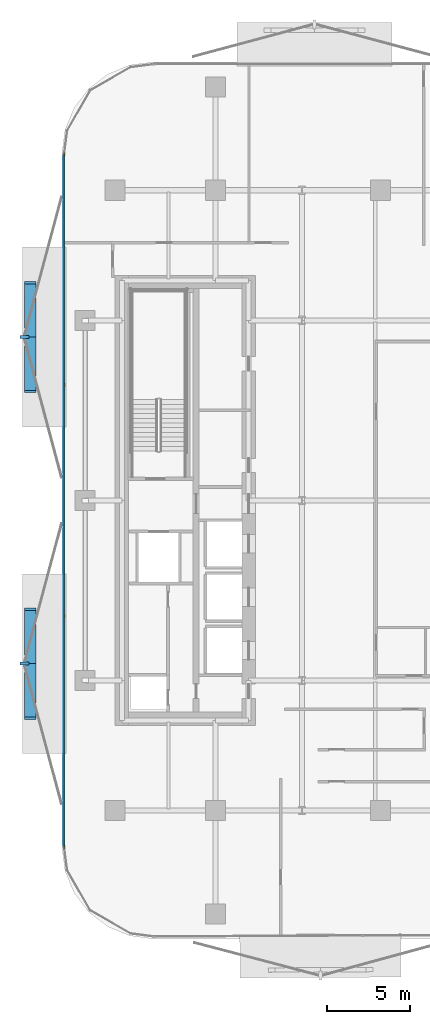
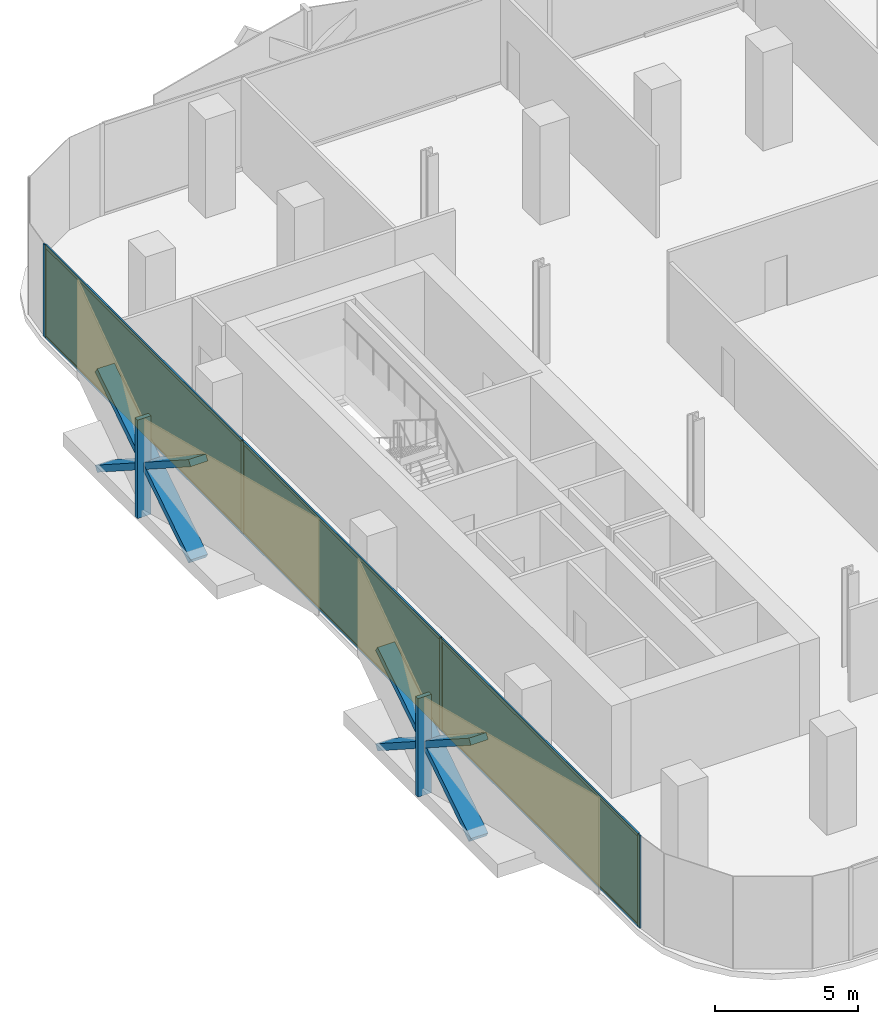
# One storey, part 8 of 15: 16 members, 3 plates, 1 curtain wall.
"""IFC4 building model written with IfcOpenShell, lengths in metres."""

import ifcopenshell
import ifcopenshell.guid

model = None  # the IFC model being written
_history = None  # IfcOwnerHistory: only IFC2X3 demands one
_inside = {}  # id of a spatial element -> (the spatial element, [elements in it])
_under = {}  # id of a project, library or spatial element -> (it, [spatial elements below it])
_declared = {}  # id of a project -> (the project, [libraries it declares])
_typed = {}  # id of a type object -> (the type object, [elements of that type])
_made_of = {}  # id of a material, layer set ... -> (it, [elements and type objects made of it])


def new_model(schema):
    """Start an empty IFC model of exactly this schema.

    Asked for "IFC4X3", IfcOpenShell would pick the latest addendum, in which some entities
    have other attributes; the version numbers below select the first issue.
    IFC2X3 requires an IfcOwnerHistory on every rooted entity: one is made here for all.
    """
    global model, _history
    if schema == "IFC4X3":
        model = ifcopenshell.file(schema_version=(4, 3, 0, 0))
    else:
        model = ifcopenshell.file(schema=schema)
    _inside.clear()
    _under.clear()
    _declared.clear()
    _typed.clear()
    _made_of.clear()
    _history = None
    if model.schema == "IFC2X3":
        org = make("IfcOrganization", Name="unknown")
        user = make(
            "IfcPersonAndOrganization",
            ThePerson=make("IfcPerson", FamilyName="unknown"),
            TheOrganization=org,
        )
        app = make(
            "IfcApplication",
            ApplicationDeveloper=org,
            Version="unknown",
            ApplicationFullName="unknown",
            ApplicationIdentifier="unknown",
        )
        _history = make(
            "IfcOwnerHistory",
            OwningUser=user,
            OwningApplication=app,
            ChangeAction="ADDED",
            CreationDate=0,
        )
    return model


def make(cls, **values):
    """One entity of the class cls with the attributes given. An attribute that is None is left unset."""
    return model.create_entity(
        cls, **{name: value for name, value in values.items() if value is not None}
    )


def rooted(cls, **values):
    """An entity with a GlobalId (a new one), such as an element, a storey or a relation."""
    return make(cls, GlobalId=ifcopenshell.guid.new(), OwnerHistory=_history, **values)


def si_unit(unit_type, name, prefix=None):
    """IfcSIUnit, for example si_unit("LENGTHUNIT", "METRE", prefix="MILLI")."""
    return make("IfcSIUnit", UnitType=unit_type, Prefix=prefix, Name=name)


def assignment(units):
    """IfcUnitAssignment: the units of a project."""
    return None if units is None else make("IfcUnitAssignment", Units=units)


def point(xyz):
    """IfcCartesianPoint."""
    return None if xyz is None else make("IfcCartesianPoint", Coordinates=xyz)


def direction(xyz):
    """IfcDirection."""
    return None if xyz is None else make("IfcDirection", DirectionRatios=xyz)


def frame(location, z_axis=None, x_axis=None):
    """IfcAxis2Placement3D, a coordinate frame: its origin and axes. An axis left out is left unset."""
    return make(
        "IfcAxis2Placement3D",
        Location=point(location),
        Axis=direction(z_axis),
        RefDirection=direction(x_axis),
    )


def frame_2d(location, x_axis=None):
    """IfcAxis2Placement2D, a coordinate frame in the plane: its origin and x axis."""
    return make(
        "IfcAxis2Placement2D", Location=point(location), RefDirection=direction(x_axis)
    )


def origin():
    """The frame at (0, 0, 0) with its axes left unset."""
    return frame((0.0, 0.0, 0.0))


def origin_2d():
    """The frame at (0, 0) in the plane with its x axis left unset."""
    return frame_2d((0.0, 0.0))


def place(relative_to, where):
    """IfcLocalPlacement: puts the frame where relative to a parent placement (None: the world)."""
    return make(
        "IfcLocalPlacement", PlacementRelTo=relative_to, RelativePlacement=where
    )


def context(
    kind, dimensions, precision=None, world=None, true_north=None, identifier=None
):
    """IfcGeometricRepresentationContext, for example the 3D "Model" context."""
    return make(
        "IfcGeometricRepresentationContext",
        ContextIdentifier=identifier,
        ContextType=kind,
        CoordinateSpaceDimension=dimensions,
        Precision=precision,
        WorldCoordinateSystem=world,
        TrueNorth=true_north,
    )


def subcontext(parent, identifier, kind, view, scale=None):
    """IfcGeometricRepresentationSubContext, for example "Body" below "Model"."""
    return make(
        "IfcGeometricRepresentationSubContext",
        ContextIdentifier=identifier,
        ContextType=kind,
        ParentContext=parent,
        TargetScale=scale,
        TargetView=view,
    )


def project(units=None, contexts=None):
    """IfcProject with its units and contexts."""
    return rooted(
        "IfcProject",
        Name="project",
        RepresentationContexts=contexts,
        UnitsInContext=assignment(units),
    )


def spatial(cls, under=None, at=None, **own):
    """A site, building, storey or space (cls), placed at a placement, below another one or the project."""
    s = rooted(cls, ObjectPlacement=at, **own)
    if under is not None:
        _under.setdefault(under.id(), (under, []))[1].append(s)
    return s


def profile(cls, at=None, kind="AREA", **sizes):
    """A parametric profile (cls). Its sizes go by their IFC names, for example OverallWidth=200.0."""
    return make(cls, ProfileType=kind, Position=at, **sizes)


def rectangle(**sizes):
    """IfcRectangleProfileDef."""
    return profile("IfcRectangleProfileDef", **sizes)


def extrude(swept, where, along, depth):
    """IfcExtrudedAreaSolid: the profile swept, set in the frame where, extruded along a direction by depth."""
    return make(
        "IfcExtrudedAreaSolid",
        SweptArea=swept,
        Position=where,
        ExtrudedDirection=direction(along),
        Depth=depth,
    )


def shape(context_of_items, identifier, shape_type, items):
    """IfcShapeRepresentation: the items that make up one representation, for example the "Body"."""
    return make(
        "IfcShapeRepresentation",
        ContextOfItems=context_of_items,
        RepresentationIdentifier=identifier,
        RepresentationType=shape_type,
        Items=items,
    )


def material(Name=None, Category=None):
    """IfcMaterial."""
    return make("IfcMaterial", Name=Name, Category=Category)


def layer(
    of_material, thickness, ventilated=None, Name=None, Category=None, Priority=None
):
    """IfcMaterialLayer: one layer of a wall or slab, of a material (None: an air gap)."""
    return make(
        "IfcMaterialLayer",
        Material=of_material,
        LayerThickness=thickness,
        IsVentilated=ventilated,
        Name=Name,
        Category=Category,
        Priority=Priority,
    )


def layer_set(layers, Name=None):
    """IfcMaterialLayerSet."""
    return make("IfcMaterialLayerSet", MaterialLayers=layers, LayerSetName=Name)


def material_profile(
    of_material, cross_section, Name=None, Category=None, Priority=None
):
    """IfcMaterialProfile: a cross section and its material."""
    return make(
        "IfcMaterialProfile",
        Name=Name,
        Material=of_material,
        Profile=cross_section,
        Priority=Priority,
        Category=Category,
    )


def profile_set(profiles, Name=None, composite=None):
    """IfcMaterialProfileSet."""
    return make(
        "IfcMaterialProfileSet",
        Name=Name,
        MaterialProfiles=profiles,
        CompositeProfile=composite,
    )


def made_of(thing, what):
    """Note that an element or type object is made of a material, layer set ...; save() writes the relation."""
    if what is not None:
        _made_of.setdefault(what.id(), (what, []))[1].append(thing)
    return thing


def type_object(cls, material=None, **own):
    """A type object (cls), such as IfcWallType, which elements share."""
    return made_of(rooted(cls, **own), material)


def element(
    cls,
    number,
    at=None,
    inside=None,
    cuts=None,
    type_object=None,
    material=None,
    context=None,
    identifier="Body",
    shape_type=None,
    held_by="IfcProductDefinitionShape",
    body=None,
    shapes=None,
    **own,
):
    """One element of the class cls, such as IfcWall. Its Tag is "e" and its number.

    at: its placement. inside: the storey or other place that contains it. cuts: it is an
    opening in that element (IfcRelVoidsElement). A single representation is given by context,
    identifier, shape_type and body (its items); several are given by shapes. held_by: the class
    of the entity that holds the representations. save() writes the other relations.
    """
    e = rooted(cls, Tag="e%d" % number, ObjectPlacement=at, **own)
    if body is not None:
        shapes = [shape(context, identifier, shape_type, body)]
    if shapes is not None:
        e.Representation = make(held_by, Representations=shapes)
    if inside is not None:
        _inside.setdefault(inside.id(), (inside, []))[1].append(e)
    if cuts is not None:
        rooted(
            "IfcRelVoidsElement", RelatingBuildingElement=cuts, RelatedOpeningElement=e
        )
    if type_object is not None:
        _typed.setdefault(type_object.id(), (type_object, []))[1].append(e)
    return made_of(e, material)


def aggregate(whole, parts):
    """IfcRelAggregates: a whole, such as a stair, and the parts it consists of."""
    return rooted("IfcRelAggregates", RelatingObject=whole, RelatedObjects=parts)


def save(model, path):
    """Write the relations noted so far, then the file.

    IfcRelAggregates (storeys below a building ...), IfcRelContainedInSpatialStructure (elements
    in a storey), IfcRelDefinesByType, IfcRelAssociatesMaterial and IfcRelDeclares: one each for
    every whole, place, type object, material and project.
    """
    for whole, parts in _under.values():
        aggregate(whole, parts)
    for where, things in _inside.values():
        rooted(
            "IfcRelContainedInSpatialStructure",
            RelatedElements=things,
            RelatingStructure=where,
        )
    for kind, things in _typed.values():
        rooted("IfcRelDefinesByType", RelatedObjects=things, RelatingType=kind)
    for what, things in _made_of.values():
        rooted("IfcRelAssociatesMaterial", RelatedObjects=things, RelatingMaterial=what)
    for by, libraries in _declared.values():
        rooted("IfcRelDeclares", RelatingContext=by, RelatedDefinitions=libraries)
    model.write(path)


model = new_model("IFC4")

# Units and contexts
model_context = context("Model", 3, precision=1e-05, world=origin(), true_north=direction((0.0, 1.0)))
body_context = subcontext(model_context, "Body", "Model", "MODEL_VIEW")
ifc_project = project(units=[si_unit("LENGTHUNIT", "METRE"), si_unit("AREAUNIT", "SQUARE_METRE"), si_unit("VOLUMEUNIT", "CUBIC_METRE"), si_unit("PLANEANGLEUNIT", "RADIAN"), si_unit("MASSUNIT", "GRAM", prefix="KILO")], contexts=[model_context])

# Member
ifc_material_1 = material(Name="Anodised Bronze Aluminium 6063-T6", Category="aluminium")
ifc_material_profile_1 = material_profile(ifc_material_1, rectangle(XDim=0.260009765625, YDim=0.699951171875, at=origin_2d()))
ifc_profile_set_1 = profile_set([ifc_material_profile_1], Name="Anodised Bronze Aluminium 6063-T6")
member_type_1 = type_object("IfcMemberType", Name="Bronze Diamond Solar-Screen Lattice Rib BDL-700", PredefinedType="MULLION", material=ifc_profile_set_1)
site_placement = place(None, origin())
building_placement = place(site_placement, origin())
storey_placement = place(building_placement, frame((0.0, 0.0, 122.60009765625)))
member_1_placement = place(storey_placement, frame((-25.5, -13.060546875, -0.130126953125), z_axis=(0.0, 0.841066075866, 0.540932395062), x_axis=(0.0, -0.540932395062, 0.841066075866)))
member_1 = element("IfcMember", 1, at=member_1_placement, type_object=member_type_1, Name="L28 Bronze Diamond Solar Screen Lattice Rib 171A", PredefinedType="MULLION", context=body_context, shape_type="SweptSolid", body=[
    extrude(rectangle(XDim=0.260009765625, YDim=0.699951171875, at=origin_2d()), origin(), (0.0, 0.0, 1.0), 7.76416015625),
])

member_2_placement = place(storey_placement, frame((-25.5, -6.5302734375, -0.130126953125), z_axis=(0.0, -0.841066075866, 0.540932395062), x_axis=(0.0, 0.540932395062, 0.841066075866)))
member_2 = element("IfcMember", 2, at=member_2_placement, type_object=member_type_1, Name="L28 Bronze Diamond Solar Screen Lattice Rib 171B", PredefinedType="MULLION", context=body_context, shape_type="SweptSolid", body=[
    extrude(rectangle(XDim=0.260009765625, YDim=0.699951171875, at=origin_2d()), origin(), (0.0, 0.0, 1.0), 7.76416015625),
])

member_3_placement = place(storey_placement, frame((-25.5, 6.5302734375, -0.130126953125), z_axis=(0.0, 0.841066075866, 0.540932395062), x_axis=(0.0, -0.540932395062, 0.841066075866)))
member_3 = element("IfcMember", 3, at=member_3_placement, type_object=member_type_1, Name="L28 Bronze Diamond Solar Screen Lattice Rib 172A", PredefinedType="MULLION", context=body_context, shape_type="SweptSolid", body=[
    extrude(rectangle(XDim=0.260009765625, YDim=0.699951171875, at=origin_2d()), origin(), (0.0, 0.0, 1.0), 7.76416015625),
])

member_4_placement = place(storey_placement, frame((-25.5, 13.060546875, -0.130126953125), z_axis=(0.0, -0.841066075866, 0.540932395062), x_axis=(0.0, 0.540932395062, 0.841066075866)))
member_4 = element("IfcMember", 4, at=member_4_placement, type_object=member_type_1, Name="L28 Bronze Diamond Solar Screen Lattice Rib 172B", PredefinedType="MULLION", context=body_context, shape_type="SweptSolid", body=[
    extrude(rectangle(XDim=0.260009765625, YDim=0.699951171875, at=origin_2d()), origin(), (0.0, 0.0, 1.0), 7.76416015625),
])

ifc_material_2 = material(Name="Anodised Bronze Aluminium 6063-T6", Category="aluminium")
ifc_material_profile_2 = material_profile(ifc_material_2, rectangle(XDim=0.179931640625, YDim=0.5400390625, at=origin_2d()))
ifc_profile_set_2 = profile_set([ifc_material_profile_2], Name="Anodised Bronze Aluminium 6063-T6")
member_type_2 = type_object("IfcMemberType", Name="Bronze Solar-Screen Vertical Fold Fin BSF-540", PredefinedType="MULLION", material=ifc_profile_set_2)
member_5_placement = place(storey_placement, frame((-25.840087890625, -9.79541015625, -0.130126953125), z_axis=(0.0, 0.0, 1.0), x_axis=(0.0, 1.0, 0.0)))
member_5 = element("IfcMember", 5, at=member_5_placement, type_object=member_type_2, Name="L28 Bronze Solar Screen Vertical Fin 171", PredefinedType="MULLION", context=body_context, shape_type="SweptSolid", body=[
    extrude(rectangle(XDim=0.179931640625, YDim=0.5400390625, at=origin_2d()), origin(), (0.0, 0.0, 1.0), 4.199951171875),
])

member_6_placement = place(storey_placement, frame((-25.840087890625, 9.79541015625, -0.130126953125), z_axis=(0.0, 0.0, 1.0), x_axis=(0.0, 1.0, 0.0)))
member_6 = element("IfcMember", 6, at=member_6_placement, type_object=member_type_2, Name="L28 Bronze Solar Screen Vertical Fin 172", PredefinedType="MULLION", context=body_context, shape_type="SweptSolid", body=[
    extrude(rectangle(XDim=0.179931640625, YDim=0.5400390625, at=origin_2d()), origin(), (0.0, 0.0, 1.0), 4.199951171875),
])

ifc_material_3 = material(Name="Anodised Bronze Aluminium 6063-T6", Category="aluminium")
ifc_material_profile_3 = material_profile(ifc_material_3, rectangle(XDim=0.06494140625, YDim=0.175048828125, at=origin_2d()))
ifc_profile_set_3 = profile_set([ifc_material_profile_3], Name="Anodised Bronze Aluminium 6063-T6")
member_type_3 = type_object("IfcMemberType", Name="CW-Z2 Mullion 65x175", PredefinedType="MULLION", material=ifc_profile_set_3)
member_7_placement = place(storey_placement, frame((-23.4599609375, -20.75830078125, 0.0), z_axis=(0.0, 0.0, 1.0), x_axis=(-1.0, 0.0, 0.0)))
member_7 = element("IfcMember", 7, at=member_7_placement, type_object=member_type_3, Name="CW-Z2 mullion 1", PredefinedType="MULLION", context=body_context, shape_type="SweptSolid", body=[
    extrude(rectangle(XDim=0.06494140625, YDim=0.175048828125, at=origin_2d()), origin(), (0.0, 0.0, 1.0), 3.93994140625),
])

member_8_placement = place(storey_placement, frame((-23.4599609375, -6.93017578125, 0.0), z_axis=(0.0, 0.0, 1.0), x_axis=(-1.0, 0.0, 0.0)))
member_8 = element("IfcMember", 8, at=member_8_placement, type_object=member_type_3, Name="CW-Z2 mullion 2", PredefinedType="MULLION", context=body_context, shape_type="SweptSolid", body=[
    extrude(rectangle(XDim=0.06494140625, YDim=0.175048828125, at=origin_2d()), origin(), (0.0, 0.0, 1.0), 3.93994140625),
])

member_9_placement = place(storey_placement, frame((-23.4599609375, 6.93017578125, 0.0), z_axis=(0.0, 0.0, 1.0), x_axis=(-1.0, 0.0, 0.0)))
member_9 = element("IfcMember", 9, at=member_9_placement, type_object=member_type_3, Name="CW-Z2 mullion 3", PredefinedType="MULLION", context=body_context, shape_type="SweptSolid", body=[
    extrude(rectangle(XDim=0.06494140625, YDim=0.175048828125, at=origin_2d()), origin(), (0.0, 0.0, 1.0), 3.93994140625),
])

member_10_placement = place(storey_placement, frame((-23.4599609375, 20.75830078125, 0.0), z_axis=(0.0, 0.0, 1.0), x_axis=(-1.0, 0.0, 0.0)))
member_10 = element("IfcMember", 10, at=member_10_placement, type_object=member_type_3, Name="CW-Z2 mullion 4", PredefinedType="MULLION", context=body_context, shape_type="SweptSolid", body=[
    extrude(rectangle(XDim=0.06494140625, YDim=0.175048828125, at=origin_2d()), origin(), (0.0, 0.0, 1.0), 3.93994140625),
])

ifc_material_4 = material(Name="Anodised Bronze Aluminium 6063-T6", Category="aluminium")
ifc_material_profile_4 = material_profile(ifc_material_4, rectangle(XDim=0.06494140625, YDim=0.135009765625, at=origin_2d()))
ifc_profile_set_4 = profile_set([ifc_material_profile_4], Name="Anodised Bronze Aluminium 6063-T6")
member_type_4 = type_object("IfcMemberType", Name="CW-Z2 Transom 65x135", PredefinedType="USERDEFINED", material=ifc_profile_set_4)
member_11_placement = place(storey_placement, frame((-23.4599609375, -20.725830078125, 0.032470703125), z_axis=(0.0, 1.0, 0.0), x_axis=(-1.0, 0.0, 0.0)))
member_11 = element("IfcMember", 11, at=member_11_placement, type_object=member_type_4, Name="CW-Z2 transom 1.1", ObjectType="TRANSOM", PredefinedType="USERDEFINED", context=body_context, shape_type="SweptSolid", body=[
    extrude(rectangle(XDim=0.06494140625, YDim=0.135009765625, at=origin_2d()), origin(), (0.0, 0.0, 1.0), 13.76318359375),
])

member_12_placement = place(storey_placement, frame((-23.4599609375, -20.725830078125, 3.907470703125), z_axis=(0.0, 1.0, 0.0), x_axis=(-1.0, 0.0, 0.0)))
member_12 = element("IfcMember", 12, at=member_12_placement, type_object=member_type_4, Name="CW-Z2 transom 1.2", ObjectType="TRANSOM", PredefinedType="USERDEFINED", context=body_context, shape_type="SweptSolid", body=[
    extrude(rectangle(XDim=0.06494140625, YDim=0.135009765625, at=origin_2d()), origin(), (0.0, 0.0, 1.0), 13.76318359375),
])

member_13_placement = place(storey_placement, frame((-23.4599609375, -6.897705078125, 0.032470703125), z_axis=(0.0, 1.0, 0.0), x_axis=(-1.0, 0.0, 0.0)))
member_13 = element("IfcMember", 13, at=member_13_placement, type_object=member_type_4, Name="CW-Z2 transom 2.1", ObjectType="TRANSOM", PredefinedType="USERDEFINED", context=body_context, shape_type="SweptSolid", body=[
    extrude(rectangle(XDim=0.06494140625, YDim=0.135009765625, at=origin_2d()), origin(), (0.0, 0.0, 1.0), 13.79541015625),
])

member_14_placement = place(storey_placement, frame((-23.4599609375, -6.897705078125, 3.907470703125), z_axis=(0.0, 1.0, 0.0), x_axis=(-1.0, 0.0, 0.0)))
member_14 = element("IfcMember", 14, at=member_14_placement, type_object=member_type_4, Name="CW-Z2 transom 2.2", ObjectType="TRANSOM", PredefinedType="USERDEFINED", context=body_context, shape_type="SweptSolid", body=[
    extrude(rectangle(XDim=0.06494140625, YDim=0.135009765625, at=origin_2d()), origin(), (0.0, 0.0, 1.0), 13.79541015625),
])

member_15_placement = place(storey_placement, frame((-23.4599609375, 6.962646484375, 0.032470703125), z_axis=(0.0, 1.0, 0.0), x_axis=(-1.0, 0.0, 0.0)))
member_15 = element("IfcMember", 15, at=member_15_placement, type_object=member_type_4, Name="CW-Z2 transom 3.1", ObjectType="TRANSOM", PredefinedType="USERDEFINED", context=body_context, shape_type="SweptSolid", body=[
    extrude(rectangle(XDim=0.06494140625, YDim=0.135009765625, at=origin_2d()), origin(), (0.0, 0.0, 1.0), 13.76318359375),
])

member_16_placement = place(storey_placement, frame((-23.4599609375, 6.962646484375, 3.907470703125), z_axis=(0.0, 1.0, 0.0), x_axis=(-1.0, 0.0, 0.0)))
member_16 = element("IfcMember", 16, at=member_16_placement, type_object=member_type_4, Name="CW-Z2 transom 3.2", ObjectType="TRANSOM", PredefinedType="USERDEFINED", context=body_context, shape_type="SweptSolid", body=[
    extrude(rectangle(XDim=0.06494140625, YDim=0.135009765625, at=origin_2d()), origin(), (0.0, 0.0, 1.0), 13.76318359375),
])

# Plate
ifc_material_5 = material(Name="Low-E Solar Control Laminated Glass", Category="glass")
ifc_layer_1 = layer(ifc_material_5, 0.028076171875, Name="Low-E Solar Control Laminated Glass")
ifc_layer_set_1 = layer_set([ifc_layer_1], Name="Low-E Solar Control Laminated Glass")
plate_type = type_object("IfcPlateType", Name="CW-Z2 Low-E Double Glazed Panel 28mm", PredefinedType="CURTAIN_PANEL", material=ifc_layer_set_1)
plate_1_placement = place(storey_placement, frame((-23.4599609375, -13.84423828125, 0.06494140625), z_axis=(0.0, 0.0, 1.0), x_axis=(0.0, 1.0, 0.0)))
plate_1 = element("IfcPlate", 17, at=plate_1_placement, type_object=plate_type, Name="CW-Z2 panel 1.1", PredefinedType="CURTAIN_PANEL", context=body_context, shape_type="SweptSolid", body=[
    extrude(rectangle(XDim=13.762939453125, YDim=0.028076171875, at=origin_2d()), origin(), (0.0, 0.0, 1.0), 3.81005859375),
])

plate_2_placement = place(storey_placement, frame((-23.4599609375, 0.0, 0.06494140625), z_axis=(0.0, 0.0, 1.0), x_axis=(0.0, 1.0, 0.0)))
plate_2 = element("IfcPlate", 18, at=plate_2_placement, type_object=plate_type, Name="CW-Z2 panel 2.1", PredefinedType="CURTAIN_PANEL", context=body_context, shape_type="SweptSolid", body=[
    extrude(rectangle(XDim=13.795654296875, YDim=0.028076171875, at=origin_2d()), origin(), (0.0, 0.0, 1.0), 3.81005859375),
])

plate_3_placement = place(storey_placement, frame((-23.4599609375, 13.84423828125, 0.06494140625), z_axis=(0.0, 0.0, 1.0), x_axis=(0.0, 1.0, 0.0)))
plate_3 = element("IfcPlate", 19, at=plate_3_placement, type_object=plate_type, Name="CW-Z2 panel 3.1", PredefinedType="CURTAIN_PANEL", context=body_context, shape_type="SweptSolid", body=[
    extrude(rectangle(XDim=13.762939453125, YDim=0.028076171875, at=origin_2d()), origin(), (0.0, 0.0, 1.0), 3.81005859375),
])

# Site, building, storey
site = spatial("IfcSite", under=ifc_project, at=site_placement, CompositionType="ELEMENT")
building = spatial("IfcBuilding", under=site, at=building_placement, Name="Khairoan Windgate Tower", CompositionType="ELEMENT")
storey = spatial("IfcBuildingStorey", under=building, at=storey_placement, Name="L28", CompositionType="ELEMENT", Elevation=122.60009765625)

# Curtain wall
ifc_material_6 = material(Name="Anodised Bronze Aluminium 6063-T6", Category="aluminium")
ifc_layer_2 = layer(ifc_material_6, 0.175048828125, Name="Anodised Bronze Aluminium 6063-T6")
ifc_layer_set_2 = layer_set([ifc_layer_2], Name="Anodised Bronze Aluminium 6063-T6")
curtain_wall_type = type_object("IfcCurtainWallType", Name="Mid-Rise Office Unitised Curtain Wall CW-Z2", PredefinedType="NOTDEFINED", material=ifc_layer_set_2)
curtain_wall_placement = place(storey_placement, frame((-23.4599609375, -20.790771484375, 0.0), z_axis=(0.0, 0.0, 1.0), x_axis=(0.0, 1.0, 0.0)))
curtain_wall = element("IfcCurtainWall", 20, at=curtain_wall_placement, inside=storey, type_object=curtain_wall_type, Name="L28 Unitised Curtain Wall 6", PredefinedType="NOTDEFINED", context=body_context, shape_type="SweptSolid", body=[
    extrude(rectangle(XDim=41.58154296875, YDim=0.010009765625, at=frame_2d((20.790771484375, 0.0))), origin(), (0.0, 0.0, 1.0), 3.93994140625),
])

aggregate(curtain_wall, [member_7, member_8, member_9, member_10, member_11, member_12, plate_1, member_13, member_14, plate_2, member_15, member_16, plate_3, member_1, member_2, member_5, member_3, member_4, member_6])

save(model, "model.ifc")
